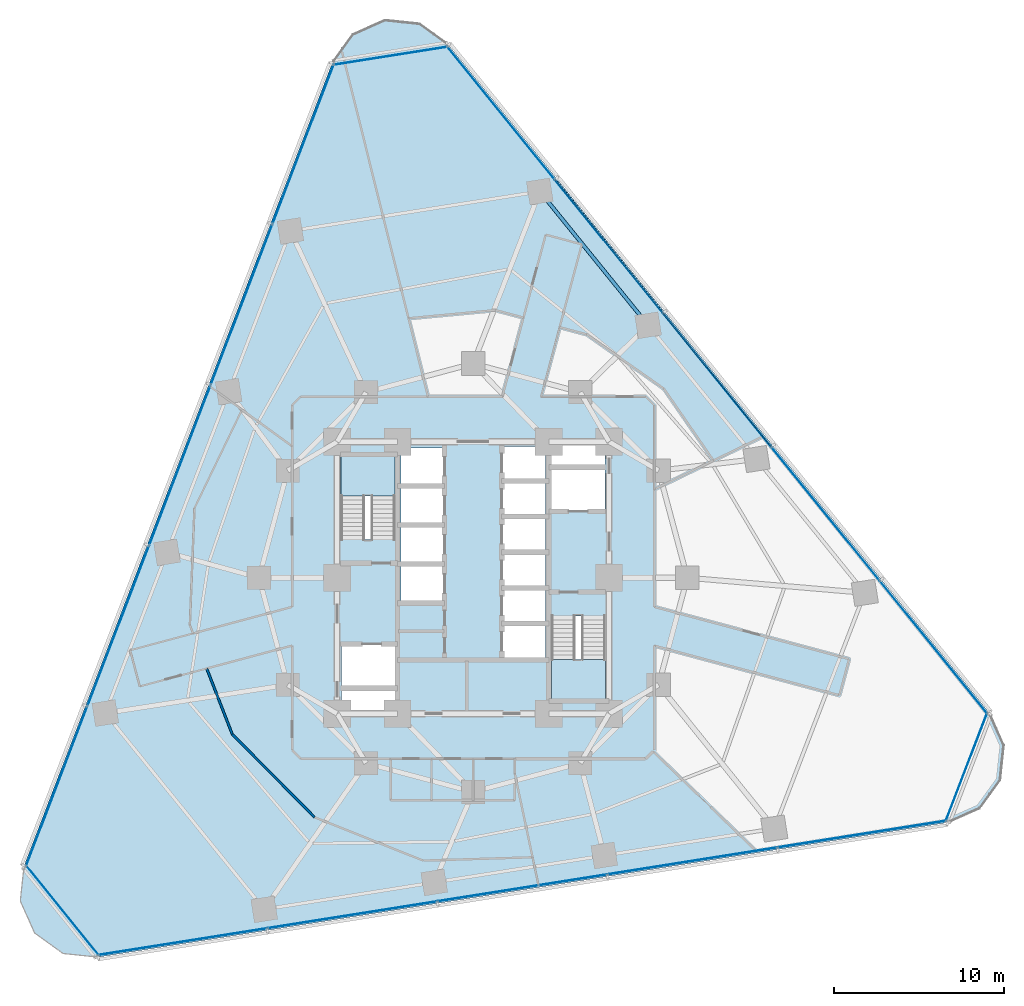
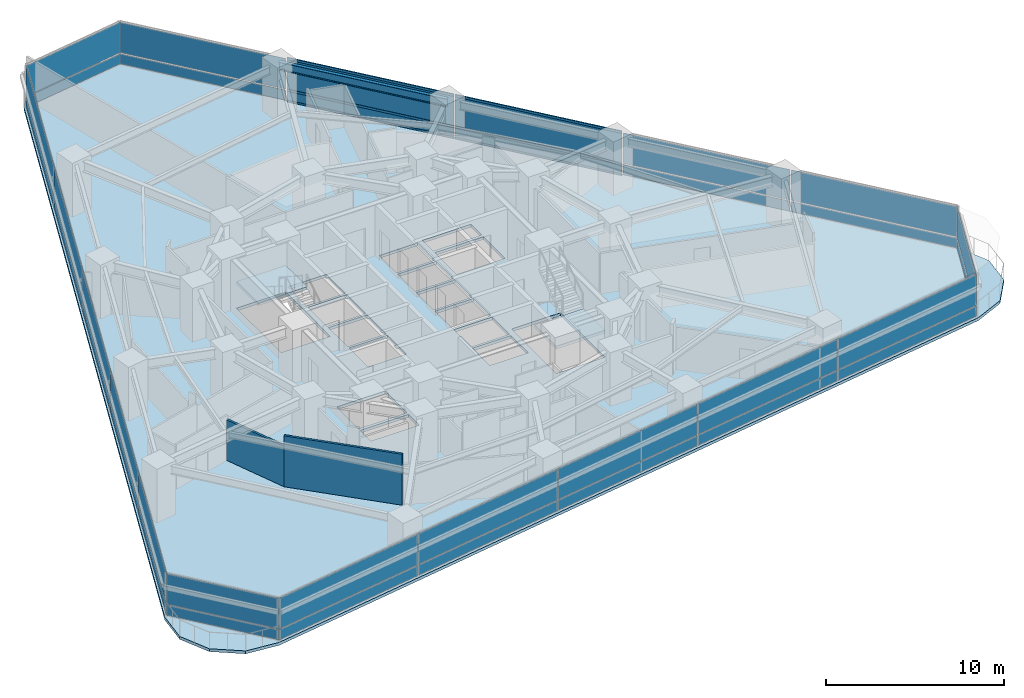
# One storey, part 6 of 14: 36 plates, 6 members, 3 slabs, 2 walls, 1 beam, 8 elements without a shape of their own.
"""IFC4 building model written with IfcOpenShell, lengths in metres."""

import ifcopenshell
import ifcopenshell.guid

model = None  # the IFC model being written
_history = None  # IfcOwnerHistory: only IFC2X3 demands one
_inside = {}  # id of a spatial element -> (the spatial element, [elements in it])
_under = {}  # id of a project, library or spatial element -> (it, [spatial elements below it])
_declared = {}  # id of a project -> (the project, [libraries it declares])
_typed = {}  # id of a type object -> (the type object, [elements of that type])
_made_of = {}  # id of a material, layer set ... -> (it, [elements and type objects made of it])


def new_model(schema):
    """Start an empty IFC model of exactly this schema.

    Asked for "IFC4X3", IfcOpenShell would pick the latest addendum, in which some entities
    have other attributes; the version numbers below select the first issue.
    IFC2X3 requires an IfcOwnerHistory on every rooted entity: one is made here for all.
    """
    global model, _history
    if schema == "IFC4X3":
        model = ifcopenshell.file(schema_version=(4, 3, 0, 0))
    else:
        model = ifcopenshell.file(schema=schema)
    _inside.clear()
    _under.clear()
    _declared.clear()
    _typed.clear()
    _made_of.clear()
    _history = None
    if model.schema == "IFC2X3":
        org = make("IfcOrganization", Name="unknown")
        user = make(
            "IfcPersonAndOrganization",
            ThePerson=make("IfcPerson", FamilyName="unknown"),
            TheOrganization=org,
        )
        app = make(
            "IfcApplication",
            ApplicationDeveloper=org,
            Version="unknown",
            ApplicationFullName="unknown",
            ApplicationIdentifier="unknown",
        )
        _history = make(
            "IfcOwnerHistory",
            OwningUser=user,
            OwningApplication=app,
            ChangeAction="ADDED",
            CreationDate=0,
        )
    return model


def make(cls, **values):
    """One entity of the class cls with the attributes given. An attribute that is None is left unset."""
    return model.create_entity(
        cls, **{name: value for name, value in values.items() if value is not None}
    )


def rooted(cls, **values):
    """An entity with a GlobalId (a new one), such as an element, a storey or a relation."""
    return make(cls, GlobalId=ifcopenshell.guid.new(), OwnerHistory=_history, **values)


def si_unit(unit_type, name, prefix=None):
    """IfcSIUnit, for example si_unit("LENGTHUNIT", "METRE", prefix="MILLI")."""
    return make("IfcSIUnit", UnitType=unit_type, Prefix=prefix, Name=name)


def assignment(units):
    """IfcUnitAssignment: the units of a project."""
    return None if units is None else make("IfcUnitAssignment", Units=units)


def point(xyz):
    """IfcCartesianPoint."""
    return None if xyz is None else make("IfcCartesianPoint", Coordinates=xyz)


def direction(xyz):
    """IfcDirection."""
    return None if xyz is None else make("IfcDirection", DirectionRatios=xyz)


def frame(location, z_axis=None, x_axis=None):
    """IfcAxis2Placement3D, a coordinate frame: its origin and axes. An axis left out is left unset."""
    return make(
        "IfcAxis2Placement3D",
        Location=point(location),
        Axis=direction(z_axis),
        RefDirection=direction(x_axis),
    )


def frame_2d(location, x_axis=None):
    """IfcAxis2Placement2D, a coordinate frame in the plane: its origin and x axis."""
    return make(
        "IfcAxis2Placement2D", Location=point(location), RefDirection=direction(x_axis)
    )


def origin():
    """The frame at (0, 0, 0) with its axes left unset."""
    return frame((0.0, 0.0, 0.0))


def origin_2d():
    """The frame at (0, 0) in the plane with its x axis left unset."""
    return frame_2d((0.0, 0.0))


def place(relative_to, where):
    """IfcLocalPlacement: puts the frame where relative to a parent placement (None: the world)."""
    return make(
        "IfcLocalPlacement", PlacementRelTo=relative_to, RelativePlacement=where
    )


def context(
    kind, dimensions, precision=None, world=None, true_north=None, identifier=None
):
    """IfcGeometricRepresentationContext, for example the 3D "Model" context."""
    return make(
        "IfcGeometricRepresentationContext",
        ContextIdentifier=identifier,
        ContextType=kind,
        CoordinateSpaceDimension=dimensions,
        Precision=precision,
        WorldCoordinateSystem=world,
        TrueNorth=true_north,
    )


def subcontext(parent, identifier, kind, view, scale=None):
    """IfcGeometricRepresentationSubContext, for example "Body" below "Model"."""
    return make(
        "IfcGeometricRepresentationSubContext",
        ContextIdentifier=identifier,
        ContextType=kind,
        ParentContext=parent,
        TargetScale=scale,
        TargetView=view,
    )


def project(units=None, contexts=None):
    """IfcProject with its units and contexts."""
    return rooted(
        "IfcProject",
        Name="project",
        RepresentationContexts=contexts,
        UnitsInContext=assignment(units),
    )


def spatial(cls, under=None, at=None, **own):
    """A site, building, storey or space (cls), placed at a placement, below another one or the project."""
    s = rooted(cls, ObjectPlacement=at, **own)
    if under is not None:
        _under.setdefault(under.id(), (under, []))[1].append(s)
    return s


def polyline(points):
    """IfcPolyline through the points."""
    return make("IfcPolyline", Points=[point(p) for p in points])


def profile(cls, at=None, kind="AREA", **sizes):
    """A parametric profile (cls). Its sizes go by their IFC names, for example OverallWidth=200.0."""
    return make(cls, ProfileType=kind, Position=at, **sizes)


def rectangle(**sizes):
    """IfcRectangleProfileDef."""
    return profile("IfcRectangleProfileDef", **sizes)


def i_section(**sizes):
    """IfcIShapeProfileDef."""
    return profile("IfcIShapeProfileDef", **sizes)


def outline(outer, holes=None, kind="AREA"):
    """IfcArbitraryClosedProfileDef: a profile drawn as a closed curve; with holes, ...WithVoids."""
    if holes is None:
        return make("IfcArbitraryClosedProfileDef", ProfileType=kind, OuterCurve=outer)
    return make(
        "IfcArbitraryProfileDefWithVoids",
        ProfileType=kind,
        OuterCurve=outer,
        InnerCurves=holes,
    )


def extrude(swept, where, along, depth):
    """IfcExtrudedAreaSolid: the profile swept, set in the frame where, extruded along a direction by depth."""
    return make(
        "IfcExtrudedAreaSolid",
        SweptArea=swept,
        Position=where,
        ExtrudedDirection=direction(along),
        Depth=depth,
    )


def shape(context_of_items, identifier, shape_type, items):
    """IfcShapeRepresentation: the items that make up one representation, for example the "Body"."""
    return make(
        "IfcShapeRepresentation",
        ContextOfItems=context_of_items,
        RepresentationIdentifier=identifier,
        RepresentationType=shape_type,
        Items=items,
    )


def material(Name=None, Category=None):
    """IfcMaterial."""
    return make("IfcMaterial", Name=Name, Category=Category)


def layer(
    of_material, thickness, ventilated=None, Name=None, Category=None, Priority=None
):
    """IfcMaterialLayer: one layer of a wall or slab, of a material (None: an air gap)."""
    return make(
        "IfcMaterialLayer",
        Material=of_material,
        LayerThickness=thickness,
        IsVentilated=ventilated,
        Name=Name,
        Category=Category,
        Priority=Priority,
    )


def layer_set(layers, Name=None):
    """IfcMaterialLayerSet."""
    return make("IfcMaterialLayerSet", MaterialLayers=layers, LayerSetName=Name)


def material_profile(
    of_material, cross_section, Name=None, Category=None, Priority=None
):
    """IfcMaterialProfile: a cross section and its material."""
    return make(
        "IfcMaterialProfile",
        Name=Name,
        Material=of_material,
        Profile=cross_section,
        Priority=Priority,
        Category=Category,
    )


def profile_set(profiles, Name=None, composite=None):
    """IfcMaterialProfileSet."""
    return make(
        "IfcMaterialProfileSet",
        Name=Name,
        MaterialProfiles=profiles,
        CompositeProfile=composite,
    )


def made_of(thing, what):
    """Note that an element or type object is made of a material, layer set ...; save() writes the relation."""
    if what is not None:
        _made_of.setdefault(what.id(), (what, []))[1].append(thing)
    return thing


def type_object(cls, material=None, **own):
    """A type object (cls), such as IfcWallType, which elements share."""
    return made_of(rooted(cls, **own), material)


def element(
    cls,
    number,
    at=None,
    inside=None,
    cuts=None,
    type_object=None,
    material=None,
    context=None,
    identifier="Body",
    shape_type=None,
    held_by="IfcProductDefinitionShape",
    body=None,
    shapes=None,
    **own,
):
    """One element of the class cls, such as IfcWall. Its Tag is "e" and its number.

    at: its placement. inside: the storey or other place that contains it. cuts: it is an
    opening in that element (IfcRelVoidsElement). A single representation is given by context,
    identifier, shape_type and body (its items); several are given by shapes. held_by: the class
    of the entity that holds the representations. save() writes the other relations.
    """
    e = rooted(cls, Tag="e%d" % number, ObjectPlacement=at, **own)
    if body is not None:
        shapes = [shape(context, identifier, shape_type, body)]
    if shapes is not None:
        e.Representation = make(held_by, Representations=shapes)
    if inside is not None:
        _inside.setdefault(inside.id(), (inside, []))[1].append(e)
    if cuts is not None:
        rooted(
            "IfcRelVoidsElement", RelatingBuildingElement=cuts, RelatedOpeningElement=e
        )
    if type_object is not None:
        _typed.setdefault(type_object.id(), (type_object, []))[1].append(e)
    return made_of(e, material)


def aggregate(whole, parts):
    """IfcRelAggregates: a whole, such as a stair, and the parts it consists of."""
    return rooted("IfcRelAggregates", RelatingObject=whole, RelatedObjects=parts)


def save(model, path):
    """Write the relations noted so far, then the file.

    IfcRelAggregates (storeys below a building ...), IfcRelContainedInSpatialStructure (elements
    in a storey), IfcRelDefinesByType, IfcRelAssociatesMaterial and IfcRelDeclares: one each for
    every whole, place, type object, material and project.
    """
    for whole, parts in _under.values():
        aggregate(whole, parts)
    for where, things in _inside.values():
        rooted(
            "IfcRelContainedInSpatialStructure",
            RelatedElements=things,
            RelatingStructure=where,
        )
    for kind, things in _typed.values():
        rooted("IfcRelDefinesByType", RelatedObjects=things, RelatingType=kind)
    for what, things in _made_of.values():
        rooted("IfcRelAssociatesMaterial", RelatedObjects=things, RelatingMaterial=what)
    for by, libraries in _declared.values():
        rooted("IfcRelDeclares", RelatingContext=by, RelatedDefinitions=libraries)
    model.write(path)


model = new_model("IFC4")

# Units and contexts
model_context = context("Model", 3, precision=1e-05, world=origin(), true_north=direction((0.0, 1.0)))
body_context = subcontext(model_context, "Body", "Model", "MODEL_VIEW")
ifc_project = project(units=[si_unit("LENGTHUNIT", "METRE"), si_unit("AREAUNIT", "SQUARE_METRE"), si_unit("VOLUMEUNIT", "CUBIC_METRE"), si_unit("PLANEANGLEUNIT", "RADIAN"), si_unit("MASSUNIT", "GRAM", prefix="KILO")], contexts=[model_context])

# Site, building, storey
site_placement = place(None, origin())
site = spatial("IfcSite", under=ifc_project, at=site_placement, CompositionType="ELEMENT")
building_placement = place(site_placement, origin())
building = spatial("IfcBuilding", under=site, at=building_placement, Name="Terralouvre Media Tower", CompositionType="ELEMENT")
storey_placement = place(building_placement, frame((0.0, 0.0, 66.699951171875)))
storey = spatial("IfcBuildingStorey", under=building, at=storey_placement, Name="L16", CompositionType="ELEMENT", Elevation=66.699951171875)

# Curtain wall, members
ifc_material_1 = material(Name="Low-iron laminated double glazing with solar-control coating", Category="glass")
ifc_layer_1 = layer(ifc_material_1, 0.1650390625, Name="Lower Media Tower Unitised Curtain Wall CW-02")
ifc_layer_set_1 = layer_set([ifc_layer_1], Name="Low-iron laminated double glazing with solar-control coating")
curtain_wall_type_1 = type_object("IfcCurtainWallType", Name="Lower Media Tower Unitised Curtain Wall CW-02", PredefinedType="NOTDEFINED", material=ifc_layer_set_1)
curtain_wall_1_placement = place(storey_placement, origin())
curtain_wall_1 = element("IfcCurtainWall", 1, at=curtain_wall_1_placement, inside=storey, type_object=curtain_wall_type_1, Name="L16 Facade Curtain Wall F1", PredefinedType="NOTDEFINED")
ifc_material_2 = material(Name="Anodised extruded aluminium 6063-T6", Category="aluminium")
ifc_material_profile_1 = material_profile(ifc_material_2, rectangle(XDim=0.074951171875, YDim=0.14990234375, at=origin_2d()), Name="ALU 75x150")
ifc_profile_set_1 = profile_set([ifc_material_profile_1], Name="Anodised extruded aluminium 6063-T6")
member_type = type_object("IfcMemberType", Name="Curtain-Wall Horizontal Transom TR-150", PredefinedType="USERDEFINED", material=ifc_profile_set_1)
member_1_placement = place(storey_placement, frame((17.523681640625, 7.72265625, 0.03759765625), z_axis=(-0.629319084722, 0.777147019299, 0.0), x_axis=(-0.777147019299, -0.629319084722, 0.0)))
member_1 = element("IfcMember", 2, at=member_1_placement, type_object=member_type, Name="CW-02 transom 3.1", ObjectType="TRANSOM", PredefinedType="USERDEFINED", context=body_context, shape_type="SweptSolid", body=[
    extrude(rectangle(XDim=0.074951171875, YDim=0.14990234375, at=origin_2d()), origin(), (0.0, 0.0, 1.0), 10.052734375),
])
member_2_placement = place(storey_placement, frame((17.523681640625, 7.72265625, 0.800048828125), z_axis=(-0.629319084722, 0.777147019299, 0.0), x_axis=(-0.777147019299, -0.629319084722, 0.0)))
member_2 = element("IfcMember", 3, at=member_2_placement, type_object=member_type, Name="CW-02 transom 3.2", ObjectType="TRANSOM", PredefinedType="USERDEFINED", context=body_context, shape_type="SweptSolid", body=[
    extrude(rectangle(XDim=0.074951171875, YDim=0.14990234375, at=origin_2d()), origin(), (0.0, 0.0, 1.0), 10.052734375),
])
member_3_placement = place(storey_placement, frame((17.523681640625, 7.72265625, 2.962646484375), z_axis=(-0.629319084722, 0.777147019299, 0.0), x_axis=(-0.777147019299, -0.629319084722, 0.0)))
member_3 = element("IfcMember", 4, at=member_3_placement, type_object=member_type, Name="CW-02 transom 3.3", ObjectType="TRANSOM", PredefinedType="USERDEFINED", context=body_context, shape_type="SweptSolid", body=[
    extrude(rectangle(XDim=0.074951171875, YDim=0.14990234375, at=origin_2d()), origin(), (0.0, 0.0, 1.0), 10.052734375),
])
member_4_placement = place(storey_placement, frame((11.14990234375, 15.593505859375, 0.03759765625), z_axis=(-0.629307207311, 0.777156637253, 0.0), x_axis=(-0.777156637253, -0.629307207311, 0.0)))
member_4 = element("IfcMember", 5, at=member_4_placement, type_object=member_type, Name="CW-02 transom 4.1", ObjectType="TRANSOM", PredefinedType="USERDEFINED", context=body_context, shape_type="SweptSolid", body=[
    extrude(rectangle(XDim=0.074951171875, YDim=0.14990234375, at=origin_2d()), origin(), (0.0, 0.0, 1.0), 10.052978515625),
])
member_5_placement = place(storey_placement, frame((11.14990234375, 15.593505859375, 0.800048828125), z_axis=(-0.629307207311, 0.777156637253, 0.0), x_axis=(-0.777156637253, -0.629307207311, 0.0)))
member_5 = element("IfcMember", 6, at=member_5_placement, type_object=member_type, Name="CW-02 transom 4.2", ObjectType="TRANSOM", PredefinedType="USERDEFINED", context=body_context, shape_type="SweptSolid", body=[
    extrude(rectangle(XDim=0.074951171875, YDim=0.14990234375, at=origin_2d()), origin(), (0.0, 0.0, 1.0), 10.052978515625),
])
member_6_placement = place(storey_placement, frame((11.14990234375, 15.593505859375, 2.962646484375), z_axis=(-0.629307207311, 0.777156637253, 0.0), x_axis=(-0.777156637253, -0.629307207311, 0.0)))
member_6 = element("IfcMember", 7, at=member_6_placement, type_object=member_type, Name="CW-02 transom 4.3", ObjectType="TRANSOM", PredefinedType="USERDEFINED", context=body_context, shape_type="SweptSolid", body=[
    extrude(rectangle(XDim=0.074951171875, YDim=0.14990234375, at=origin_2d()), origin(), (0.0, 0.0, 1.0), 10.052978515625),
])

# Beam
ifc_material_3 = material(Name="Structural steel S355J2", Category="steel")
ifc_material_profile_2 = material_profile(ifc_material_3, i_section(OverallWidth=0.2099609375, OverallDepth=0.550048828125, WebThickness=0.010986328125, FlangeThickness=0.01708984375, at=origin_2d()), Name="IPE 550")
ifc_profile_set_2 = profile_set([ifc_material_profile_2], Name="Structural steel S355J2")
beam_type = type_object("IfcBeamType", Name="Perimeter Spandrel Beam SPB-550 (IPE 550)", PredefinedType="SPANDREL", material=ifc_profile_set_2)
beam_placement = place(storey_placement, frame((10.29541015625, 14.853271484375, 3.22509765625), z_axis=(-0.629325814949, 0.777141569239, 0.0), x_axis=(-0.777141569239, -0.629325814949, 0.0)))
element("IfcBeam", 8, at=beam_placement, inside=storey, type_object=beam_type, Name="L16 Framing Beam BM-L16-PR08", PredefinedType="SPANDREL", context=body_context, shape_type="SweptSolid", body=[
    extrude(i_section(OverallWidth=0.2099609375, OverallDepth=0.550048828125, WebThickness=0.010986328125, FlangeThickness=0.01708984375, at=origin_2d()), origin(), (0.0, 0.0, 1.0), 10.1279296875),
])

# Slab
ifc_material_4 = material(Name="Concrete C40/50", Category="concrete")
ifc_layer_2 = layer(ifc_material_4, 0.199951171875, Name="Composite Tower Floor Slab S-TYP200")
ifc_layer_set_2 = layer_set([ifc_layer_2], Name="Concrete C40/50")
slab_type_1 = type_object("IfcSlabType", Name="Composite Tower Floor Slab S-TYP200", PredefinedType="FLOOR", material=ifc_layer_set_2)
slab_1_placement = place(storey_placement, frame((0.0, 0.0, -0.199951171875), z_axis=(0.0, 0.0, 1.0), x_axis=(0.987688340595, 0.15643446504, 0.0)))
element("IfcSlab", 9, at=slab_1_placement, inside=storey, type_object=slab_type_1, Name="L16 Structural Floor Slab", PredefinedType="FLOOR", context=body_context, shape_type="SweptSolid", body=[
    extrude(outline(polyline([(-28.766845703125, -12.62841796875), (-29.300048828125, -14.618408203125), (-28.766845703125, -16.6083984375), (-27.31005859375, -18.065185546875), (-25.320068359375, -18.598388671875), (25.320068359375, -18.598388671875), (27.31005859375, -18.065185546875), (28.766845703125, -16.6083984375), (29.300048828125, -14.618408203125), (28.766845703125, -12.62841796875), (3.44677734375, 31.22705078125), (1.989990234375, 32.683837890625), (0.0, 33.217041015625), (-1.989990234375, 32.683837890625), (-3.44677734375, 31.22705078125), (-28.766845703125, -12.62841796875)]), holes=[polyline([(-5.763671875, -6.984375), (-8.874755859375, -6.49169921875), (-8.68701171875, -5.306396484375), (-5.575927734375, -5.799072265625), (-5.763671875, -6.984375)]), polyline([(-5.54443359375, -5.6015625), (-8.65576171875, -5.10888671875), (-8.2724609375, -2.68896484375), (-5.161376953125, -3.181884765625), (-5.54443359375, -5.6015625)]), polyline([(-1.95068359375, -1.128662109375), (-4.419921875, -0.73779296875), (-4.0849609375, 1.3759765625), (-1.61572265625, 0.98486328125), (-1.95068359375, -1.128662109375)]), polyline([(-1.5908203125, 1.142822265625), (-4.06005859375, 1.533935546875), (-3.725341796875, 3.647705078125), (-1.256103515625, 3.256591796875), (-1.5908203125, 1.142822265625)]), polyline([(4.44482421875, 0.895751953125), (1.9755859375, 1.286865234375), (2.279052734375, 3.202880859375), (4.748291015625, 2.811767578125), (4.44482421875, 0.895751953125)]), polyline([(-1.23095703125, 3.41455078125), (-3.7001953125, 3.8056640625), (-3.365478515625, 5.91943359375), (-0.896240234375, 5.5283203125), (-1.23095703125, 3.41455078125)]), polyline([(-4.192138671875, 2.93701171875), (-7.3330078125, 3.434326171875), (-6.548583984375, 8.3876953125), (-3.40771484375, 7.89013671875), (-4.192138671875, 2.93701171875)]), polyline([(-0.87109375, 5.686279296875), (-3.34033203125, 6.077392578125), (-3.005615234375, 8.19091796875), (-0.536376953125, 7.800048828125), (-0.87109375, 5.686279296875)]), polyline([(4.192138671875, -2.93701171875), (7.3330078125, -3.434326171875), (6.548583984375, -8.3876953125), (3.40771484375, -7.89013671875), (4.192138671875, -2.93701171875)]), polyline([(3.459228515625, -5.32666015625), (0.989990234375, -4.935546875), (1.29345703125, -3.01953125), (3.7626953125, -3.41064453125), (3.459228515625, -5.32666015625)]), polyline([(3.787841796875, -3.252685546875), (1.318603515625, -2.861572265625), (1.6220703125, -0.9453125), (4.09130859375, -1.33642578125), (3.787841796875, -3.252685546875)]), polyline([(4.1162109375, -1.178466796875), (1.647216796875, -0.787353515625), (1.95068359375, 1.128662109375), (4.419921875, 0.73779296875), (4.1162109375, -1.178466796875)]), polyline([(4.7734375, 2.9697265625), (2.30419921875, 3.36083984375), (2.607666015625, 5.277099609375), (5.076904296875, 4.885986328125), (4.7734375, 2.9697265625)]), polyline([(8.2724609375, 2.68896484375), (5.161376953125, 3.181884765625), (5.54443359375, 5.6015625), (8.65576171875, 5.10888671875), (8.2724609375, 2.68896484375)]), polyline([(5.101806640625, 5.0439453125), (2.632568359375, 5.43505859375), (2.93603515625, 7.35107421875), (5.4052734375, 6.960205078125), (5.101806640625, 5.0439453125)]), polyline([(8.68701171875, 5.306396484375), (5.575927734375, 5.799072265625), (5.763671875, 6.984375), (8.874755859375, 6.49169921875), (8.68701171875, 5.306396484375)])]), origin(), (0.0, 0.0, 1.0), 0.199951171875),
])

# Stair, slab
ifc_material_5 = material(Name="Concrete C45/55", Category="concrete")
stair_type_1 = type_object("IfcStairType", Name="Dogleg Stair Assembly ST-01", PredefinedType="HALF_TURN_STAIR", material=ifc_material_5)
stair_1_placement = place(storey_placement, origin())
stair_1 = element("IfcStair", 10, at=stair_1_placement, inside=storey, type_object=stair_type_1, Name="L16 Core Pressurised Exit Stair ST-01", PredefinedType="HALF_TURN_STAIR")
ifc_material_6 = material(Name="Concrete C45/55", Category="concrete")
ifc_layer_3 = layer(ifc_material_6, 0.199951171875, Name="Reinforced Concrete Stair Half-Landing SL-LD1")
ifc_layer_set_3 = layer_set([ifc_layer_3], Name="Concrete C45/55")
slab_type_2 = type_object("IfcSlabType", Name="Reinforced Concrete Stair Half-Landing SL-LD1", PredefinedType="LANDING", material=ifc_layer_set_3)
slab_2_placement = place(storey_placement, frame((0.0, 0.0, 1.650146484375)))
slab_2 = element("IfcSlab", 11, at=slab_2_placement, type_object=slab_type_2, Name="ST-01 landing 1", PredefinedType="LANDING", context=body_context, shape_type="SweptSolid", body=[
    extrude(outline(polyline([(-4.60009765625, 4.820068359375), (-4.60009765625, 7.260009765625), (-7.780029296875, 7.260009765625), (-7.780029296875, 4.820068359375), (-4.60009765625, 4.820068359375)])), origin(), (0.0, 0.0, 1.0), 0.199951171875),
])
aggregate(stair_1, [slab_2])

ifc_material_7 = material(Name="Concrete C45/55", Category="concrete")
stair_type_2 = type_object("IfcStairType", Name="Dogleg Stair Assembly ST-02", PredefinedType="HALF_TURN_STAIR", material=ifc_material_7)
stair_2_placement = place(storey_placement, origin())
stair_2 = element("IfcStair", 12, at=stair_2_placement, inside=storey, type_object=stair_type_2, Name="L16 Core Pressurised Exit Stair ST-02", PredefinedType="HALF_TURN_STAIR")
slab_3_placement = place(storey_placement, frame((0.0, 0.0, 1.650146484375)))
slab_3 = element("IfcSlab", 13, at=slab_3_placement, type_object=slab_type_2, Name="ST-02 landing 1", PredefinedType="LANDING", context=body_context, shape_type="SweptSolid", body=[
    extrude(outline(polyline([(4.60009765625, -4.820068359375), (4.60009765625, -7.260009765625), (7.780029296875, -7.260009765625), (7.780029296875, -4.820068359375), (4.60009765625, -4.820068359375)])), origin(), (0.0, 0.0, 1.0), 0.199951171875),
])
aggregate(stair_2, [slab_3])

# Curtain wall, plates
ifc_material_8 = material(Name="Low-iron laminated double glazing with solar-control coating", Category="glass")
ifc_layer_4 = layer(ifc_material_8, 0.1650390625, Name="Rounded Wind-Corner Curved Glazing CW-04")
ifc_layer_set_4 = layer_set([ifc_layer_4], Name="Low-iron laminated double glazing with solar-control coating")
curtain_wall_type_2 = type_object("IfcCurtainWallType", Name="Rounded Wind-Corner Curved Glazing CW-04", PredefinedType="NOTDEFINED", material=ifc_layer_set_4)
curtain_wall_2_placement = place(storey_placement, origin())
curtain_wall_2 = element("IfcCurtainWall", 14, at=curtain_wall_2_placement, inside=storey, type_object=curtain_wall_type_2, Name="L16 Rounded Wind-Corner Curtain Wall C0", PredefinedType="NOTDEFINED")
ifc_material_9 = material(Name="Low-iron laminated double glazing with solar-control coating", Category="glass")
ifc_layer_5 = layer(ifc_material_9, 0.0400390625, Name="Rounded Corner Laminated Vision Panel CWP-03")
ifc_layer_set_5 = layer_set([ifc_layer_5], Name="Low-iron laminated double glazing with solar-control coating")
plate_type_1 = type_object("IfcPlateType", Name="Rounded Corner Laminated Vision Panel CWP-03", PredefinedType="CURTAIN_PANEL", material=ifc_layer_set_5)
plate_1_placement = place(storey_placement, frame((-24.1591796875, -19.563720703125, 0.074951171875), z_axis=(0.0, 0.0, 1.0), x_axis=(0.629320031936, -0.777146252262, 0.0)))
plate_1 = element("IfcPlate", 15, at=plate_1_placement, type_object=plate_type_1, Name="CW-04 panel 1.1", PredefinedType="CURTAIN_PANEL", context=body_context, shape_type="SweptSolid", body=[
    extrude(rectangle(XDim=6.74365234375, YDim=0.035888671875, at=origin_2d()), origin(), (0.0, 0.0, 1.0), 0.6875),
])
plate_2_placement = place(storey_placement, frame((-24.1591796875, -19.563720703125, 0.837646484375), z_axis=(0.0, 0.0, 1.0), x_axis=(0.629320031936, -0.777146252262, 0.0)))
plate_2 = element("IfcPlate", 16, at=plate_2_placement, type_object=plate_type_1, Name="CW-04 panel 1.2", PredefinedType="CURTAIN_PANEL", context=body_context, shape_type="SweptSolid", body=[
    extrude(rectangle(XDim=6.74365234375, YDim=0.035888671875, at=origin_2d()), origin(), (0.0, 0.0, 1.0), 2.08740234375),
])
aggregate(curtain_wall_2, [plate_1, plate_2])

curtain_wall_3_placement = place(storey_placement, origin())
curtain_wall_3 = element("IfcCurtainWall", 17, at=curtain_wall_3_placement, inside=storey, type_object=curtain_wall_type_2, Name="L16 Rounded Wind-Corner Curtain Wall C1", PredefinedType="NOTDEFINED")
plate_3_placement = place(storey_placement, frame((29.022216796875, -11.140625, 0.074951171875), z_axis=(0.0, 0.0, 1.0), x_axis=(0.358367472863, 0.933580609478, 0.0)))
plate_3 = element("IfcPlate", 18, at=plate_3_placement, type_object=plate_type_1, Name="CW-04 panel 1.1", PredefinedType="CURTAIN_PANEL", context=body_context, shape_type="SweptSolid", body=[
    extrude(rectangle(XDim=6.74365234375, YDim=0.035888671875, at=origin_2d()), origin(), (0.0, 0.0, 1.0), 0.6875),
])
plate_4_placement = place(storey_placement, frame((29.022216796875, -11.140625, 0.837646484375), z_axis=(0.0, 0.0, 1.0), x_axis=(0.358367472863, 0.933580609478, 0.0)))
plate_4 = element("IfcPlate", 19, at=plate_4_placement, type_object=plate_type_1, Name="CW-04 panel 1.2", PredefinedType="CURTAIN_PANEL", context=body_context, shape_type="SweptSolid", body=[
    extrude(rectangle(XDim=6.74365234375, YDim=0.035888671875, at=origin_2d()), origin(), (0.0, 0.0, 1.0), 2.08740234375),
])
aggregate(curtain_wall_3, [plate_3, plate_4])

curtain_wall_4_placement = place(storey_placement, origin())
curtain_wall_4 = element("IfcCurtainWall", 20, at=curtain_wall_4_placement, inside=storey, type_object=curtain_wall_type_2, Name="L16 Rounded Wind-Corner Curtain Wall C2", PredefinedType="NOTDEFINED")
plate_5_placement = place(storey_placement, frame((-4.863037109375, 30.704345703125, 0.074951171875), z_axis=(0.0, 0.0, 1.0), x_axis=(-0.987688353034, -0.156434386502, 0.0)))
plate_5 = element("IfcPlate", 21, at=plate_5_placement, type_object=plate_type_1, Name="CW-04 panel 1.1", PredefinedType="CURTAIN_PANEL", context=body_context, shape_type="SweptSolid", body=[
    extrude(rectangle(XDim=6.74365234375, YDim=0.035888671875, at=origin_2d()), origin(), (0.0, 0.0, 1.0), 0.6875),
])
plate_6_placement = place(storey_placement, frame((-4.863037109375, 30.704345703125, 0.837646484375), z_axis=(0.0, 0.0, 1.0), x_axis=(-0.987688353034, -0.156434386502, 0.0)))
plate_6 = element("IfcPlate", 22, at=plate_6_placement, type_object=plate_type_1, Name="CW-04 panel 1.2", PredefinedType="CURTAIN_PANEL", context=body_context, shape_type="SweptSolid", body=[
    extrude(rectangle(XDim=6.74365234375, YDim=0.035888671875, at=origin_2d()), origin(), (0.0, 0.0, 1.0), 2.08740234375),
])
aggregate(curtain_wall_4, [plate_5, plate_6])

curtain_wall_5_placement = place(storey_placement, origin())
curtain_wall_5 = element("IfcCurtainWall", 23, at=curtain_wall_5_placement, inside=storey, type_object=curtain_wall_type_1, Name="L16 Facade Curtain Wall F0", PredefinedType="NOTDEFINED")
ifc_material_10 = material(Name="Low-iron laminated double glazing with solar-control coating", Category="glass")
ifc_layer_6 = layer(ifc_material_10, 0.035888671875, Name="Vision Double-Glazed Unit CWP-01")
ifc_layer_set_6 = layer_set([ifc_layer_6], Name="Low-iron laminated double glazing with solar-control coating")
plate_type_2 = type_object("IfcPlateType", Name="Vision Double-Glazed Unit CWP-01", PredefinedType="CURTAIN_PANEL", material=ifc_layer_set_6)
plate_7_placement = place(storey_placement, frame((-17.097412109375, -21.416748046875, 0.074951171875), z_axis=(0.0, 0.0, 1.0), x_axis=(0.987688340934, 0.156434462903, 0.0)))
plate_7 = element("IfcPlate", 24, at=plate_7_placement, type_object=plate_type_2, Name="CW-02 panel 1.1", PredefinedType="CURTAIN_PANEL", context=body_context, shape_type="SweptSolid", body=[
    extrude(rectangle(XDim=10.015380859375, YDim=0.035888671875, at=origin_2d()), origin(), (0.0, 0.0, 1.0), 0.6875),
])
plate_8_placement = place(storey_placement, frame((-17.097412109375, -21.416748046875, 0.837646484375), z_axis=(0.0, 0.0, 1.0), x_axis=(0.987688340934, 0.156434462903, 0.0)))
plate_8 = element("IfcPlate", 25, at=plate_8_placement, type_object=plate_type_2, Name="CW-02 panel 1.2", PredefinedType="CURTAIN_PANEL", context=body_context, shape_type="SweptSolid", body=[
    extrude(rectangle(XDim=10.015380859375, YDim=0.035888671875, at=origin_2d()), origin(), (0.0, 0.0, 1.0), 2.08740234375),
])
plate_9_placement = place(storey_placement, frame((-7.112548828125, -19.83544921875, 0.074951171875), z_axis=(0.0, 0.0, 1.0), x_axis=(0.987688340934, 0.156434462903, 0.0)))
plate_9 = element("IfcPlate", 26, at=plate_9_placement, type_object=plate_type_2, Name="CW-02 panel 2.1", PredefinedType="CURTAIN_PANEL", context=body_context, shape_type="SweptSolid", body=[
    extrude(rectangle(XDim=10.052978515625, YDim=0.035888671875, at=origin_2d()), origin(), (0.0, 0.0, 1.0), 0.6875),
])
plate_10_placement = place(storey_placement, frame((-7.112548828125, -19.83544921875, 0.837646484375), z_axis=(0.0, 0.0, 1.0), x_axis=(0.987688340934, 0.156434462903, 0.0)))
plate_10 = element("IfcPlate", 27, at=plate_10_placement, type_object=plate_type_2, Name="CW-02 panel 2.2", PredefinedType="CURTAIN_PANEL", context=body_context, shape_type="SweptSolid", body=[
    extrude(rectangle(XDim=10.052978515625, YDim=0.035888671875, at=origin_2d()), origin(), (0.0, 0.0, 1.0), 2.08740234375),
])
plate_11_placement = place(storey_placement, frame((2.890625, -18.2509765625, 0.074951171875), z_axis=(0.0, 0.0, 1.0), x_axis=(0.987688340934, 0.156434462903, 0.0)))
plate_11 = element("IfcPlate", 28, at=plate_11_placement, type_object=plate_type_2, Name="CW-02 panel 3.1", PredefinedType="CURTAIN_PANEL", context=body_context, shape_type="SweptSolid", body=[
    extrude(rectangle(XDim=10.052978515625, YDim=0.035888671875, at=origin_2d()), origin(), (0.0, 0.0, 1.0), 0.6875),
])
plate_12_placement = place(storey_placement, frame((2.890625, -18.2509765625, 0.837646484375), z_axis=(0.0, 0.0, 1.0), x_axis=(0.987688340934, 0.156434462903, 0.0)))
plate_12 = element("IfcPlate", 29, at=plate_12_placement, type_object=plate_type_2, Name="CW-02 panel 3.2", PredefinedType="CURTAIN_PANEL", context=body_context, shape_type="SweptSolid", body=[
    extrude(rectangle(XDim=10.052978515625, YDim=0.035888671875, at=origin_2d()), origin(), (0.0, 0.0, 1.0), 2.08740234375),
])
plate_13_placement = place(storey_placement, frame((12.89404296875, -16.666748046875, 0.074951171875), z_axis=(0.0, 0.0, 1.0), x_axis=(0.987688340934, 0.156434462903, 0.0)))
plate_13 = element("IfcPlate", 30, at=plate_13_placement, type_object=plate_type_2, Name="CW-02 panel 4.1", PredefinedType="CURTAIN_PANEL", context=body_context, shape_type="SweptSolid", body=[
    extrude(rectangle(XDim=10.052978515625, YDim=0.035888671875, at=origin_2d()), origin(), (0.0, 0.0, 1.0), 0.6875),
])
plate_14_placement = place(storey_placement, frame((12.89404296875, -16.666748046875, 0.837646484375), z_axis=(0.0, 0.0, 1.0), x_axis=(0.987688340934, 0.156434462903, 0.0)))
plate_14 = element("IfcPlate", 31, at=plate_14_placement, type_object=plate_type_2, Name="CW-02 panel 4.2", PredefinedType="CURTAIN_PANEL", context=body_context, shape_type="SweptSolid", body=[
    extrude(rectangle(XDim=10.052978515625, YDim=0.035888671875, at=origin_2d()), origin(), (0.0, 0.0, 1.0), 2.08740234375),
])
plate_15_placement = place(storey_placement, frame((22.878662109375, -15.085205078125, 0.074951171875), z_axis=(0.0, 0.0, 1.0), x_axis=(0.987688340934, 0.156434462903, 0.0)))
plate_15 = element("IfcPlate", 32, at=plate_15_placement, type_object=plate_type_2, Name="CW-02 panel 5.1", PredefinedType="CURTAIN_PANEL", context=body_context, shape_type="SweptSolid", body=[
    extrude(rectangle(XDim=10.015380859375, YDim=0.035888671875, at=origin_2d()), origin(), (0.0, 0.0, 1.0), 0.6875),
])
plate_16_placement = place(storey_placement, frame((22.878662109375, -15.085205078125, 0.837646484375), z_axis=(0.0, 0.0, 1.0), x_axis=(0.987688340934, 0.156434462903, 0.0)))
plate_16 = element("IfcPlate", 33, at=plate_16_placement, type_object=plate_type_2, Name="CW-02 panel 5.2", PredefinedType="CURTAIN_PANEL", context=body_context, shape_type="SweptSolid", body=[
    extrude(rectangle(XDim=10.015380859375, YDim=0.035888671875, at=origin_2d()), origin(), (0.0, 0.0, 1.0), 2.08740234375),
])
aggregate(curtain_wall_5, [plate_7, plate_8, plate_9, plate_10, plate_11, plate_12, plate_13, plate_14, plate_15, plate_16])

# Plate
plate_17_placement = place(storey_placement, frame((27.09619140625, -4.098388671875, 0.074951171875), z_axis=(0.0, 0.0, 1.0), x_axis=(-0.629320350521, 0.777145994276, 0.0)))
plate_17 = element("IfcPlate", 34, at=plate_17_placement, type_object=plate_type_2, Name="CW-02 panel 1.1", PredefinedType="CURTAIN_PANEL", context=body_context, shape_type="SweptSolid", body=[
    extrude(rectangle(XDim=10.015380859375, YDim=0.035888671875, at=origin_2d()), origin(), (0.0, 0.0, 1.0), 0.6875),
])

plate_18_placement = place(storey_placement, frame((27.09619140625, -4.098388671875, 0.837646484375), z_axis=(0.0, 0.0, 1.0), x_axis=(-0.629320350521, 0.777145994276, 0.0)))
plate_18 = element("IfcPlate", 35, at=plate_18_placement, type_object=plate_type_2, Name="CW-02 panel 1.2", PredefinedType="CURTAIN_PANEL", context=body_context, shape_type="SweptSolid", body=[
    extrude(rectangle(XDim=10.015380859375, YDim=0.035888671875, at=origin_2d()), origin(), (0.0, 0.0, 1.0), 2.08740234375),
])

plate_19_placement = place(storey_placement, frame((20.734375, 3.758056640625, 0.074951171875), z_axis=(0.0, 0.0, 1.0), x_axis=(-0.629320350521, 0.777145994276, 0.0)))
plate_19 = element("IfcPlate", 36, at=plate_19_placement, type_object=plate_type_2, Name="CW-02 panel 2.1", PredefinedType="CURTAIN_PANEL", context=body_context, shape_type="SweptSolid", body=[
    extrude(rectangle(XDim=10.052978515625, YDim=0.035888671875, at=origin_2d()), origin(), (0.0, 0.0, 1.0), 0.6875),
])

plate_20_placement = place(storey_placement, frame((20.734375, 3.758056640625, 0.837646484375), z_axis=(0.0, 0.0, 1.0), x_axis=(-0.629320350521, 0.777145994276, 0.0)))
plate_20 = element("IfcPlate", 37, at=plate_20_placement, type_object=plate_type_2, Name="CW-02 panel 2.2", PredefinedType="CURTAIN_PANEL", context=body_context, shape_type="SweptSolid", body=[
    extrude(rectangle(XDim=10.052978515625, YDim=0.035888671875, at=origin_2d()), origin(), (0.0, 0.0, 1.0), 2.08740234375),
])

plate_21_placement = place(storey_placement, frame((14.360595703125, 11.62890625, 0.074951171875), z_axis=(0.0, 0.0, 1.0), x_axis=(-0.629320350521, 0.777145994276, 0.0)))
plate_21 = element("IfcPlate", 38, at=plate_21_placement, type_object=plate_type_2, Name="CW-02 panel 3.1", PredefinedType="CURTAIN_PANEL", context=body_context, shape_type="SweptSolid", body=[
    extrude(rectangle(XDim=10.052978515625, YDim=0.035888671875, at=origin_2d()), origin(), (0.0, 0.0, 1.0), 0.6875),
])

plate_22_placement = place(storey_placement, frame((14.360595703125, 11.62890625, 0.837646484375), z_axis=(0.0, 0.0, 1.0), x_axis=(-0.629320350521, 0.777145994276, 0.0)))
plate_22 = element("IfcPlate", 39, at=plate_22_placement, type_object=plate_type_2, Name="CW-02 panel 3.2", PredefinedType="CURTAIN_PANEL", context=body_context, shape_type="SweptSolid", body=[
    extrude(rectangle(XDim=10.052978515625, YDim=0.035888671875, at=origin_2d()), origin(), (0.0, 0.0, 1.0), 2.08740234375),
])

plate_23_placement = place(storey_placement, frame((7.98681640625, 19.499755859375, 0.074951171875), z_axis=(0.0, 0.0, 1.0), x_axis=(-0.629320350521, 0.777145994276, 0.0)))
plate_23 = element("IfcPlate", 40, at=plate_23_placement, type_object=plate_type_2, Name="CW-02 panel 4.1", PredefinedType="CURTAIN_PANEL", context=body_context, shape_type="SweptSolid", body=[
    extrude(rectangle(XDim=10.052978515625, YDim=0.035888671875, at=origin_2d()), origin(), (0.0, 0.0, 1.0), 0.6875),
])

plate_24_placement = place(storey_placement, frame((7.98681640625, 19.499755859375, 0.837646484375), z_axis=(0.0, 0.0, 1.0), x_axis=(-0.629320350521, 0.777145994276, 0.0)))
plate_24 = element("IfcPlate", 41, at=plate_24_placement, type_object=plate_type_2, Name="CW-02 panel 4.2", PredefinedType="CURTAIN_PANEL", context=body_context, shape_type="SweptSolid", body=[
    extrude(rectangle(XDim=10.052978515625, YDim=0.035888671875, at=origin_2d()), origin(), (0.0, 0.0, 1.0), 2.08740234375),
])

plate_25_placement = place(storey_placement, frame((1.624755859375, 27.356201171875, 0.074951171875), z_axis=(0.0, 0.0, 1.0), x_axis=(-0.629320350521, 0.777145994276, 0.0)))
plate_25 = element("IfcPlate", 42, at=plate_25_placement, type_object=plate_type_2, Name="CW-02 panel 5.1", PredefinedType="CURTAIN_PANEL", context=body_context, shape_type="SweptSolid", body=[
    extrude(rectangle(XDim=10.015380859375, YDim=0.035888671875, at=origin_2d()), origin(), (0.0, 0.0, 1.0), 0.6875),
])

plate_26_placement = place(storey_placement, frame((1.624755859375, 27.356201171875, 0.837646484375), z_axis=(0.0, 0.0, 1.0), x_axis=(-0.629320350521, 0.777145994276, 0.0)))
plate_26 = element("IfcPlate", 43, at=plate_26_placement, type_object=plate_type_2, Name="CW-02 panel 5.2", PredefinedType="CURTAIN_PANEL", context=body_context, shape_type="SweptSolid", body=[
    extrude(rectangle(XDim=10.015380859375, YDim=0.035888671875, at=origin_2d()), origin(), (0.0, 0.0, 1.0), 2.08740234375),
])

aggregate(curtain_wall_1, [plate_17, plate_18, plate_19, plate_20, member_1, member_2, member_3, plate_21, plate_22, member_4, member_5, member_6, plate_23, plate_24, plate_25, plate_26])

# Curtain wall, plates
curtain_wall_6_placement = place(storey_placement, origin())
curtain_wall_6 = element("IfcCurtainWall", 44, at=curtain_wall_6_placement, inside=storey, type_object=curtain_wall_type_1, Name="L16 Facade Curtain Wall F2", PredefinedType="NOTDEFINED")
plate_27_placement = place(storey_placement, frame((-9.998779296875, 25.51513671875, 0.074951171875), z_axis=(0.0, 0.0, 1.0), x_axis=(-0.358367917006, -0.933580438988, 0.0)))
plate_27 = element("IfcPlate", 45, at=plate_27_placement, type_object=plate_type_2, Name="CW-02 panel 1.1", PredefinedType="CURTAIN_PANEL", context=body_context, shape_type="SweptSolid", body=[
    extrude(rectangle(XDim=10.015380859375, YDim=0.035888671875, at=origin_2d()), origin(), (0.0, 0.0, 1.0), 0.6875),
])
plate_28_placement = place(storey_placement, frame((-9.998779296875, 25.51513671875, 0.837646484375), z_axis=(0.0, 0.0, 1.0), x_axis=(-0.358367917006, -0.933580438988, 0.0)))
plate_28 = element("IfcPlate", 46, at=plate_28_placement, type_object=plate_type_2, Name="CW-02 panel 1.2", PredefinedType="CURTAIN_PANEL", context=body_context, shape_type="SweptSolid", body=[
    extrude(rectangle(XDim=10.015380859375, YDim=0.035888671875, at=origin_2d()), origin(), (0.0, 0.0, 1.0), 2.08740234375),
])
plate_29_placement = place(storey_placement, frame((-13.62158203125, 16.077392578125, 0.074951171875), z_axis=(0.0, 0.0, 1.0), x_axis=(-0.358367917006, -0.933580438988, 0.0)))
plate_29 = element("IfcPlate", 47, at=plate_29_placement, type_object=plate_type_2, Name="CW-02 panel 2.1", PredefinedType="CURTAIN_PANEL", context=body_context, shape_type="SweptSolid", body=[
    extrude(rectangle(XDim=10.052978515625, YDim=0.035888671875, at=origin_2d()), origin(), (0.0, 0.0, 1.0), 0.6875),
])
plate_30_placement = place(storey_placement, frame((-13.62158203125, 16.077392578125, 0.837646484375), z_axis=(0.0, 0.0, 1.0), x_axis=(-0.358367917006, -0.933580438988, 0.0)))
plate_30 = element("IfcPlate", 48, at=plate_30_placement, type_object=plate_type_2, Name="CW-02 panel 2.2", PredefinedType="CURTAIN_PANEL", context=body_context, shape_type="SweptSolid", body=[
    extrude(rectangle(XDim=10.052978515625, YDim=0.035888671875, at=origin_2d()), origin(), (0.0, 0.0, 1.0), 2.08740234375),
])
plate_31_placement = place(storey_placement, frame((-17.251220703125, 6.6220703125, 0.074951171875), z_axis=(0.0, 0.0, 1.0), x_axis=(-0.358367917006, -0.933580438988, 0.0)))
plate_31 = element("IfcPlate", 49, at=plate_31_placement, type_object=plate_type_2, Name="CW-02 panel 3.1", PredefinedType="CURTAIN_PANEL", context=body_context, shape_type="SweptSolid", body=[
    extrude(rectangle(XDim=10.052978515625, YDim=0.035888671875, at=origin_2d()), origin(), (0.0, 0.0, 1.0), 0.6875),
])
plate_32_placement = place(storey_placement, frame((-17.251220703125, 6.6220703125, 0.837646484375), z_axis=(0.0, 0.0, 1.0), x_axis=(-0.358367917006, -0.933580438988, 0.0)))
plate_32 = element("IfcPlate", 50, at=plate_32_placement, type_object=plate_type_2, Name="CW-02 panel 3.2", PredefinedType="CURTAIN_PANEL", context=body_context, shape_type="SweptSolid", body=[
    extrude(rectangle(XDim=10.052978515625, YDim=0.035888671875, at=origin_2d()), origin(), (0.0, 0.0, 1.0), 2.08740234375),
])
plate_33_placement = place(storey_placement, frame((-20.880615234375, -2.833251953125, 0.074951171875), z_axis=(0.0, 0.0, 1.0), x_axis=(-0.358367917006, -0.933580438988, 0.0)))
plate_33 = element("IfcPlate", 51, at=plate_33_placement, type_object=plate_type_2, Name="CW-02 panel 4.1", PredefinedType="CURTAIN_PANEL", context=body_context, shape_type="SweptSolid", body=[
    extrude(rectangle(XDim=10.052978515625, YDim=0.035888671875, at=origin_2d()), origin(), (0.0, 0.0, 1.0), 0.6875),
])
plate_34_placement = place(storey_placement, frame((-20.880615234375, -2.833251953125, 0.837646484375), z_axis=(0.0, 0.0, 1.0), x_axis=(-0.358367917006, -0.933580438988, 0.0)))
plate_34 = element("IfcPlate", 52, at=plate_34_placement, type_object=plate_type_2, Name="CW-02 panel 4.2", PredefinedType="CURTAIN_PANEL", context=body_context, shape_type="SweptSolid", body=[
    extrude(rectangle(XDim=10.052978515625, YDim=0.035888671875, at=origin_2d()), origin(), (0.0, 0.0, 1.0), 2.08740234375),
])
plate_35_placement = place(storey_placement, frame((-24.503662109375, -12.27099609375, 0.074951171875), z_axis=(0.0, 0.0, 1.0), x_axis=(-0.358367917006, -0.933580438988, 0.0)))
plate_35 = element("IfcPlate", 53, at=plate_35_placement, type_object=plate_type_2, Name="CW-02 panel 5.1", PredefinedType="CURTAIN_PANEL", context=body_context, shape_type="SweptSolid", body=[
    extrude(rectangle(XDim=10.015380859375, YDim=0.035888671875, at=origin_2d()), origin(), (0.0, 0.0, 1.0), 0.6875),
])
plate_36_placement = place(storey_placement, frame((-24.503662109375, -12.27099609375, 0.837646484375), z_axis=(0.0, 0.0, 1.0), x_axis=(-0.358367917006, -0.933580438988, 0.0)))
plate_36 = element("IfcPlate", 54, at=plate_36_placement, type_object=plate_type_2, Name="CW-02 panel 5.2", PredefinedType="CURTAIN_PANEL", context=body_context, shape_type="SweptSolid", body=[
    extrude(rectangle(XDim=10.015380859375, YDim=0.035888671875, at=origin_2d()), origin(), (0.0, 0.0, 1.0), 2.08740234375),
])
aggregate(curtain_wall_6, [plate_27, plate_28, plate_29, plate_30, plate_31, plate_32, plate_33, plate_34, plate_35, plate_36])

# Walls
ifc_material_11 = material(Name="Fire-rated gypsum board drywall partition")
ifc_layer_7 = layer(ifc_material_11, 0.135009765625, Name="Newsroom Acoustic Partition PT-135")
ifc_layer_set_7 = layer_set([ifc_layer_7], Name="Fire-rated gypsum board drywall partition")
wall_type = type_object("IfcWallType", Name="Newsroom Acoustic Partition PT-135", PredefinedType="PARTITIONING", material=ifc_layer_set_7)
wall_1_placement = place(storey_placement, frame((-15.677001953125, -5.339111328125, 0.0), z_axis=(0.0, 0.0, 1.0), x_axis=(0.362420691617, -0.932014614847, 0.0)))
element("IfcWall", 55, at=wall_1_placement, inside=storey, type_object=wall_type, Name="L16 Interior Partition 035", PredefinedType="PARTITIONING", context=body_context, shape_type="SweptSolid", body=[
    extrude(rectangle(XDim=4.14697265625, YDim=0.135009765625, at=frame_2d((2.073486328125, 0.0))), origin(), (0.0, 0.0, 1.0), 2.78515625),
])
wall_2_placement = place(storey_placement, frame((-14.174072265625, -9.2041015625, 0.0), z_axis=(0.0, 0.0, 1.0), x_axis=(0.703996711494, -0.710203231621, 0.0)))
element("IfcWall", 56, at=wall_2_placement, inside=storey, type_object=wall_type, Name="L16 Interior Partition 036", PredefinedType="PARTITIONING", context=body_context, shape_type="SweptSolid", body=[
    extrude(rectangle(XDim=6.8837890625, YDim=0.135009765625, at=frame_2d((3.44189453125, 0.0))), origin(), (0.0, 0.0, 1.0), 3.5),
])

save(model, "model.ifc")
